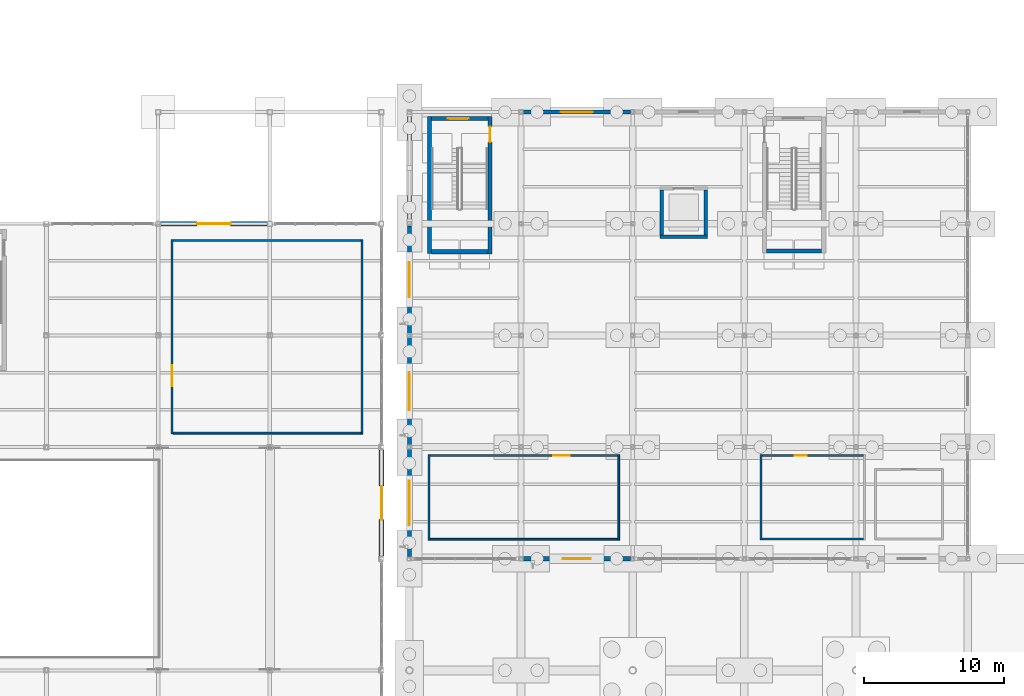
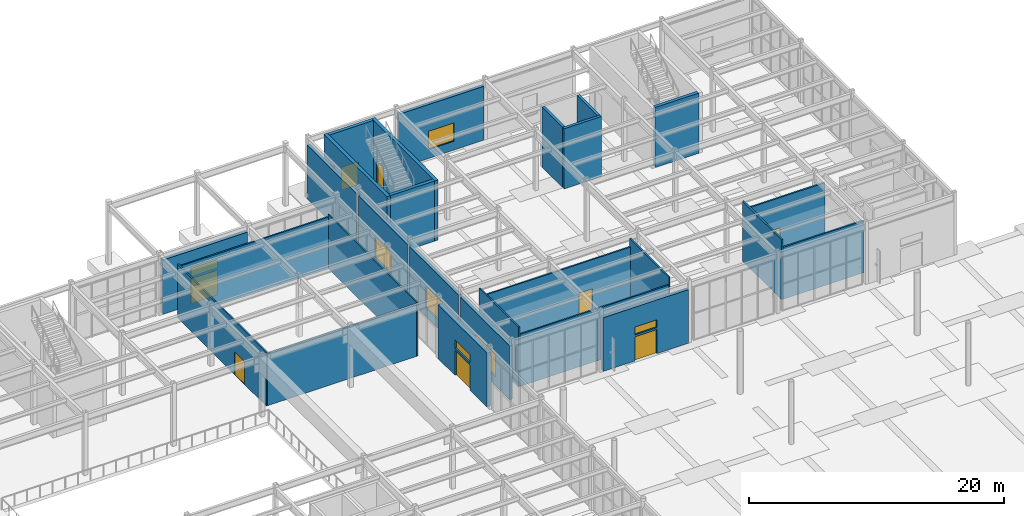
# One storey, part 63 of 82: 27 walls, 8 doors, 7 windows, 15 openings.
"""IFC4 building model written with IfcOpenShell, lengths in metres."""

from ifc_helpers import new_model, si_unit, direction, frame, frame_2d, origin, place, context, subcontext, project, spatial, rectangle, extrude, material, layer, layer_set, type_object, element, fill, save


model = new_model("IFC4")

# Units and contexts
model_context = context("Model", 3, precision=1e-05, world=origin(), true_north=direction((0.0, 1.0)))
body_context = subcontext(model_context, "Body", "Model", "MODEL_VIEW")
ifc_project = project(units=[si_unit("LENGTHUNIT", "METRE"), si_unit("AREAUNIT", "SQUARE_METRE"), si_unit("VOLUMEUNIT", "CUBIC_METRE"), si_unit("PLANEANGLEUNIT", "RADIAN"), si_unit("MASSUNIT", "GRAM", prefix="KILO")], contexts=[model_context])

# Site, building, storey
site_placement = place(None, origin())
site = spatial("IfcSite", under=ifc_project, at=site_placement, CompositionType="ELEMENT")
building_placement = place(site_placement, origin())
building = spatial("IfcBuilding", under=site, at=building_placement, Name="Drelvath Fold Interchange", CompositionType="ELEMENT")
storey_placement = place(building_placement, origin())
storey = spatial("IfcBuildingStorey", under=building, at=storey_placement, Name="L00", CompositionType="ELEMENT", Elevation=0.0)

# Wall
ifc_material_1 = material(Name="Concrete f'c 45 MPa (6500 psi)", Category="concrete")
ifc_layer_1 = layer(ifc_material_1, 0.300048828125, Name="Concrete f'c 45 MPa (6500 psi)")
ifc_layer_set_1 = layer_set([ifc_layer_1], Name="Concrete f'c 45 MPa (6500 psi)")
wall_type_1 = type_object("IfcWallType", Name="WL-CR300", PredefinedType="SHEAR", material=ifc_layer_set_1)
wall_1_placement = place(storey_placement, frame((103.60009765625, 97.0, 0.0), z_axis=(0.0, 0.0, 1.0), x_axis=(1.0, 0.0, 0.0)))
element("IfcWall", 1, at=wall_1_placement, inside=storey, type_object=wall_type_1, Name="ST-07 L00 south core wall", PredefinedType="SHEAR", context=body_context, shape_type="SweptSolid", body=[
    extrude(rectangle(XDim=4.02001953125, YDim=0.300048828125, at=frame_2d((2.010009765625, 0.0))), origin(), (0.0, 0.0, 1.0), 5.7548828125),
])

# Wall, opening, door
wall_2_placement = place(storey_placement, frame((107.77001953125, 96.85009765625, 0.0), z_axis=(0.0, 0.0, 1.0), x_axis=(0.0, 1.0, 0.0)))
wall_2 = element("IfcWall", 2, at=wall_2_placement, inside=storey, type_object=wall_type_1, Name="ST-07 L00 east core wall", PredefinedType="SHEAR", context=body_context, shape_type="SweptSolid", body=[
    extrude(rectangle(XDim=9.849853515625, YDim=0.300048828125, at=frame_2d((4.9248046875, 0.0))), origin(), (0.0, 0.0, 1.0), 5.7548828125),
])
opening_1_placement = place(wall_2_placement, frame((8.0, 0.0, 0.0)))
opening_1 = element("IfcOpeningElement", 3, at=opening_1_placement, cuts=wall_2, Name="Opening D-L00-042", PredefinedType="OPENING", context=body_context, shape_type="SweptSolid", body=[
    extrude(rectangle(XDim=1.10009765625, YDim=2.14990234375, at=frame_2d((0.550048828125, 1.074951171875))), frame((0.0, 0.159912109375, 0.0), z_axis=(0.0, -1.0, 0.0), x_axis=(1.0, 0.0, 0.0)), (0.0, 0.0, 1.0), 0.320068359375),
])
ifc_material_2 = material(Name="Insulated Hollow Metal Door Assembly")
door_type_1 = type_object("IfcDoorType", Name="DR-ST1100", OperationType="NOTDEFINED", PredefinedType="DOOR", material=ifc_material_2)
door_1_placement = place(opening_1_placement, origin())
door_1 = element("IfcDoor", 4, at=door_1_placement, inside=storey, type_object=door_type_1, Name="ST-07 L00 stair fire door D-L00-042", OperationType="SINGLE_SWING_RIGHT", OverallHeight=2.14990234375, OverallWidth=1.10009765625, PredefinedType="DOOR", context=body_context, shape_type="SweptSolid", body=[
    extrude(rectangle(XDim=1.10009765625, YDim=2.14990234375, at=frame_2d((0.550048828125, 1.074951171875))), frame((0.0, 0.02490234375, 0.0), z_axis=(0.0, -1.0, 0.0), x_axis=(1.0, 0.0, 0.0)), (0.0, 0.0, 1.0), 0.050048828125),
])
fill(opening_1, door_1)

wall_3_placement = place(storey_placement, frame((107.6201171875, 106.550048828125, 0.0), z_axis=(0.0, 0.0, 1.0), x_axis=(-1.0, 0.0, 0.0)))
wall_3 = element("IfcWall", 5, at=wall_3_placement, inside=storey, type_object=wall_type_1, Name="ST-07 L00 north core wall", PredefinedType="SHEAR", context=body_context, shape_type="SweptSolid", body=[
    extrude(rectangle(XDim=4.02001953125, YDim=0.300048828125, at=frame_2d((2.010009765625, 0.0))), origin(), (0.0, 0.0, 1.0), 5.7548828125),
])
opening_2_placement = place(wall_3_placement, frame((1.3701171875, 0.0, 0.0)))
opening_2 = element("IfcOpeningElement", 6, at=opening_2_placement, cuts=wall_3, Name="Opening E-07", PredefinedType="OPENING", context=body_context, shape_type="SweptSolid", body=[
    extrude(rectangle(XDim=1.5, YDim=2.199951171875, at=frame_2d((0.75, 1.10009765625))), frame((0.0, 0.159912109375, 0.0), z_axis=(0.0, -1.0, 0.0), x_axis=(1.0, 0.0, 0.0)), (0.0, 0.0, 1.0), 0.320068359375),
])
door_type_2 = type_object("IfcDoorType", Name="DR-EX1500", OperationType="DOUBLE_DOOR_SINGLE_SWING", PredefinedType="DOOR", material=ifc_material_2)
door_2_placement = place(opening_2_placement, frame((1.5, 0.0, 0.0), z_axis=(0.0, 0.0, 1.0), x_axis=(-1.0, 0.0, 0.0)))
door_2 = element("IfcDoor", 7, at=door_2_placement, inside=storey, type_object=door_type_2, Name="Final exit discharge door E-07", OperationType="DOUBLE_DOOR_SINGLE_SWING", OverallHeight=2.199951171875, OverallWidth=1.5, PredefinedType="DOOR", context=body_context, shape_type="SweptSolid", body=[
    extrude(rectangle(XDim=1.5, YDim=2.199951171875, at=frame_2d((0.75, 1.10009765625))), frame((0.0, 0.02490234375, 0.0), z_axis=(0.0, -1.0, 0.0), x_axis=(1.0, 0.0, 0.0)), (0.0, 0.0, 1.0), 0.050048828125),
])
fill(opening_2, door_2)

# Walls
wall_4_placement = place(storey_placement, frame((103.449951171875, 106.699951171875, 0.0), z_axis=(0.0, 0.0, 1.0), x_axis=(0.0, -1.0, 0.0)))
element("IfcWall", 8, at=wall_4_placement, inside=storey, type_object=wall_type_1, Name="ST-07 L00 west core wall", PredefinedType="SHEAR", context=body_context, shape_type="SweptSolid", body=[
    extrude(rectangle(XDim=9.849853515625, YDim=0.300048828125, at=frame_2d((4.9248046875, 0.0))), origin(), (0.0, 0.0, 1.0), 5.7548828125),
])
wall_5_placement = place(storey_placement, frame((127.60009765625, 97.050048828125, 0.0), z_axis=(0.0, 0.0, 1.0), x_axis=(1.0, 0.0, 0.0)))
element("IfcWall", 9, at=wall_5_placement, inside=storey, type_object=wall_type_1, Name="ST-08 L00 south core wall", PredefinedType="SHEAR", context=body_context, shape_type="SweptSolid", body=[
    extrude(rectangle(XDim=3.93994140625, YDim=0.300048828125, at=frame_2d((1.969970703125, 0.0))), origin(), (0.0, 0.0, 1.0), 5.7548828125),
])

# Wall, opening, window
ifc_material_3 = material(Name="Perforated Anodized Aluminium Rainscreen", Category="aluminium")
ifc_layer_2 = layer(ifc_material_3, 0.27490234375, Name="Perforated Anodized Aluminium Rainscreen")
ifc_layer_set_2 = layer_set([ifc_layer_2], Name="Perforated Anodized Aluminium Rainscreen")
wall_type_2 = type_object("IfcWallType", Name="WL-EXT275", PredefinedType="SOLIDWALL", material=ifc_layer_set_2)
wall_6_placement = place(storey_placement, frame((102.0, 75.14794921875, 0.0), z_axis=(0.0, 0.0, 1.0), x_axis=(0.0, 1.0, 0.0)))
wall_6 = element("IfcWall", 10, at=wall_6_placement, inside=storey, type_object=wall_type_2, Name="L00 exterior facade wall 29", PredefinedType="SOLIDWALL", context=body_context, shape_type="SweptSolid", body=[
    extrude(rectangle(XDim=7.7041015625, YDim=0.27490234375, at=frame_2d((3.85205078125, 0.0))), origin(), (0.0, 0.0, 1.0), 5.14990234375),
])
opening_3_placement = place(wall_6_placement, frame((2.251953125, 0.0, 0.85009765625)))
opening_3 = element("IfcOpeningElement", 11, at=opening_3_placement, cuts=wall_6, Name="Opening W-L00-027", PredefinedType="OPENING", context=body_context, shape_type="SweptSolid", body=[
    extrude(rectangle(XDim=3.199951171875, YDim=2.14990234375, at=frame_2d((1.60009765625, 1.074951171875))), frame((0.0, 0.1474609375, 0.0), z_axis=(0.0, -1.0, 0.0), x_axis=(1.0, 0.0, 0.0)), (0.0, 0.0, 1.0), 0.294921875),
])
ifc_material_4 = material(Name="Low-Iron Insulated Laminated Glass", Category="glass")
window_type_1 = type_object("IfcWindowType", Name="WN-320x215", PartitioningType="TRIPLE_PANEL_VERTICAL", PredefinedType="WINDOW", material=ifc_material_4)
window_1_placement = place(opening_3_placement, origin())
window_1 = element("IfcWindow", 12, at=window_1_placement, inside=storey, type_object=window_type_1, Name="Facade window W-L00-027", OverallHeight=2.14990234375, OverallWidth=3.199951171875, PartitioningType="SINGLE_PANEL", PredefinedType="WINDOW", context=body_context, shape_type="SweptSolid", body=[
    extrude(rectangle(XDim=3.199951171875, YDim=2.14990234375, at=frame_2d((1.60009765625, 1.074951171875))), frame((0.0, 0.030029296875, 0.0), z_axis=(0.0, -1.0, 0.0), x_axis=(1.0, 0.0, 0.0)), (0.0, 0.0, 1.0), 0.06005859375),
])
fill(opening_3, window_1)

wall_7_placement = place(storey_placement, frame((102.0, 83.14794921875, 0.0), z_axis=(0.0, 0.0, 1.0), x_axis=(0.0, 1.0, 0.0)))
wall_7 = element("IfcWall", 13, at=wall_7_placement, inside=storey, type_object=wall_type_2, Name="L00 exterior facade wall 31", PredefinedType="SOLIDWALL", context=body_context, shape_type="SweptSolid", body=[
    extrude(rectangle(XDim=7.7041015625, YDim=0.27490234375, at=frame_2d((3.85205078125, 0.0))), origin(), (0.0, 0.0, 1.0), 5.14990234375),
])
opening_4_placement = place(wall_7_placement, frame((2.501953125, 0.0, 0.85009765625)))
opening_4 = element("IfcOpeningElement", 14, at=opening_4_placement, cuts=wall_7, Name="Opening W-L00-029", PredefinedType="OPENING", context=body_context, shape_type="SweptSolid", body=[
    extrude(rectangle(XDim=2.699951171875, YDim=2.050048828125, at=frame_2d((1.35009765625, 1.02490234375))), frame((0.0, 0.1474609375, 0.0), z_axis=(0.0, -1.0, 0.0), x_axis=(1.0, 0.0, 0.0)), (0.0, 0.0, 1.0), 0.294921875),
])
window_type_2 = type_object("IfcWindowType", Name="WN-270x205", PartitioningType="TRIPLE_PANEL_VERTICAL", PredefinedType="WINDOW", material=ifc_material_4)
window_2_placement = place(opening_4_placement, origin())
window_2 = element("IfcWindow", 15, at=window_2_placement, inside=storey, type_object=window_type_2, Name="Facade window W-L00-029", OverallHeight=2.050048828125, OverallWidth=2.699951171875, PartitioningType="SINGLE_PANEL", PredefinedType="WINDOW", context=body_context, shape_type="SweptSolid", body=[
    extrude(rectangle(XDim=2.699951171875, YDim=2.050048828125, at=frame_2d((1.35009765625, 1.02490234375))), frame((0.0, 0.030029296875, 0.0), z_axis=(0.0, -1.0, 0.0), x_axis=(1.0, 0.0, 0.0)), (0.0, 0.0, 1.0), 0.06005859375),
])
fill(opening_4, window_2)

wall_8_placement = place(storey_placement, frame((102.0, 91.14794921875, 0.0), z_axis=(0.0, 0.0, 1.0), x_axis=(0.0, 1.0, 0.0)))
wall_8 = element("IfcWall", 16, at=wall_8_placement, inside=storey, type_object=wall_type_2, Name="L00 exterior facade wall 32", PredefinedType="SOLIDWALL", context=body_context, shape_type="SweptSolid", body=[
    extrude(rectangle(XDim=7.7041015625, YDim=0.27490234375, at=frame_2d((3.85205078125, 0.0))), origin(), (0.0, 0.0, 1.0), 5.14990234375),
])
opening_5_placement = place(wall_8_placement, frame((2.60205078125, 0.0, 0.85009765625)))
opening_5 = element("IfcOpeningElement", 17, at=opening_5_placement, cuts=wall_8, Name="Opening W-L00-030", PredefinedType="OPENING", context=body_context, shape_type="SweptSolid", body=[
    extrude(rectangle(XDim=2.5, YDim=1.949951171875, at=frame_2d((1.25, 0.97509765625))), frame((0.0, 0.1474609375, 0.0), z_axis=(0.0, -1.0, 0.0), x_axis=(1.0, 0.0, 0.0)), (0.0, 0.0, 1.0), 0.294921875),
])
window_type_3 = type_object("IfcWindowType", Name="WN-250x195", PartitioningType="DOUBLE_PANEL_VERTICAL", PredefinedType="WINDOW", material=ifc_material_4)
window_3_placement = place(opening_5_placement, origin())
window_3 = element("IfcWindow", 18, at=window_3_placement, inside=storey, type_object=window_type_3, Name="Facade window W-L00-030", OverallHeight=1.949951171875, OverallWidth=2.5, PartitioningType="SINGLE_PANEL", PredefinedType="WINDOW", context=body_context, shape_type="SweptSolid", body=[
    extrude(rectangle(XDim=2.5, YDim=1.949951171875, at=frame_2d((1.25, 0.97509765625))), frame((0.0, 0.030029296875, 0.0), z_axis=(0.0, -1.0, 0.0), x_axis=(1.0, 0.0, 0.0)), (0.0, 0.0, 1.0), 0.06005859375),
])
fill(opening_5, window_3)

# Wall
wall_9_placement = place(storey_placement, frame((102.0, 99.14794921875, 0.0), z_axis=(0.0, 0.0, 1.0), x_axis=(0.0, 1.0, 0.0)))
element("IfcWall", 19, at=wall_9_placement, inside=storey, type_object=wall_type_2, Name="L00 exterior facade wall 33", PredefinedType="SOLIDWALL", context=body_context, shape_type="SweptSolid", body=[
    extrude(rectangle(XDim=7.7041015625, YDim=0.27490234375, at=frame_2d((3.85205078125, 0.0))), origin(), (0.0, 0.0, 1.0), 5.14990234375),
])

# Wall, opening, window
wall_10_placement = place(storey_placement, frame((110.14794921875, 107.0, 0.0), z_axis=(0.0, 0.0, 1.0), x_axis=(1.0, 0.0, 0.0)))
wall_10 = element("IfcWall", 20, at=wall_10_placement, inside=storey, type_object=wall_type_2, Name="L00 exterior facade wall 34", PredefinedType="SOLIDWALL", context=body_context, shape_type="SweptSolid", body=[
    extrude(rectangle(XDim=7.7041015625, YDim=0.27490234375, at=frame_2d((3.85205078125, 0.0))), origin(), (0.0, 0.0, 1.0), 5.14990234375),
])
opening_6_placement = place(wall_10_placement, frame((2.701904296875, 0.0, 0.85009765625)))
opening_6 = element("IfcOpeningElement", 21, at=opening_6_placement, cuts=wall_10, Name="Opening W-L00-031", PredefinedType="OPENING", context=body_context, shape_type="SweptSolid", body=[
    extrude(rectangle(XDim=2.300048828125, YDim=1.75, at=frame_2d((1.14990234375, 0.875))), frame((0.0, 0.1474609375, 0.0), z_axis=(0.0, -1.0, 0.0), x_axis=(1.0, 0.0, 0.0)), (0.0, 0.0, 1.0), 0.294921875),
])
window_type_4 = type_object("IfcWindowType", Name="WN-230x175", PartitioningType="DOUBLE_PANEL_VERTICAL", PredefinedType="WINDOW", material=ifc_material_4)
window_4_placement = place(opening_6_placement, origin())
window_4 = element("IfcWindow", 22, at=window_4_placement, inside=storey, type_object=window_type_4, Name="Facade window W-L00-031", OverallHeight=1.75, OverallWidth=2.300048828125, PartitioningType="SINGLE_PANEL", PredefinedType="WINDOW", context=body_context, shape_type="SweptSolid", body=[
    extrude(rectangle(XDim=2.300048828125, YDim=1.75, at=frame_2d((1.14990234375, 0.875))), frame((0.0, 0.030029296875, 0.0), z_axis=(0.0, -1.0, 0.0), x_axis=(1.0, 0.0, 0.0)), (0.0, 0.0, 1.0), 0.06005859375),
])
fill(opening_6, window_4)

# Wall, openings, door, window
ifc_material_5 = material(Name="Precast concrete f'c 40 MPa (6000 psi)", Category="concrete")
ifc_layer_3 = layer(ifc_material_5, 0.31494140625, Name="Precast concrete f'c 40 MPa (6000 psi)")
ifc_layer_set_3 = layer_set([ifc_layer_3], Name="Precast concrete f'c 40 MPa (6000 psi)")
wall_type_3 = type_object("IfcWallType", Name="WL-EXT315", PredefinedType="SOLIDWALL", material=ifc_layer_set_3)
wall_11_placement = place(storey_placement, frame((110.14794921875, 75.0, 0.0), z_axis=(0.0, 0.0, 1.0), x_axis=(1.0, 0.0, 0.0)))
wall_11 = element("IfcWall", 23, at=wall_11_placement, inside=storey, type_object=wall_type_3, Name="L00 exterior facade wall 27", PredefinedType="SOLIDWALL", context=body_context, shape_type="SweptSolid", body=[
    extrude(rectangle(XDim=7.7041015625, YDim=0.31494140625, at=frame_2d((3.85205078125, 0.0))), origin(), (0.0, 0.0, 1.0), 5.137939453125),
])
opening_7_placement = place(wall_11_placement, frame((2.85205078125, 0.0, 0.0)))
opening_7 = element("IfcOpeningElement", 24, at=opening_7_placement, cuts=wall_11, Name="Opening E-19", PredefinedType="OPENING", context=body_context, shape_type="SweptSolid", body=[
    extrude(rectangle(XDim=2.0, YDim=2.300048828125, at=frame_2d((1.0, 1.14990234375))), frame((0.0, 0.16748046875, 0.0), z_axis=(0.0, -1.0, 0.0), x_axis=(1.0, 0.0, 0.0)), (0.0, 0.0, 1.0), 0.3349609375),
])
opening_8_placement = place(wall_11_placement, frame((2.85205078125, 0.0, 2.5)))
opening_8 = element("IfcOpeningElement", 25, at=opening_8_placement, cuts=wall_11, Name="Opening W-L00-025", PredefinedType="OPENING", context=body_context, shape_type="SweptSolid", body=[
    extrude(rectangle(XDim=2.0, YDim=0.75, at=frame_2d((1.0, 0.375))), frame((0.0, 0.16748046875, 0.0), z_axis=(0.0, -1.0, 0.0), x_axis=(1.0, 0.0, 0.0)), (0.0, 0.0, 1.0), 0.3349609375),
])
ifc_material_6 = material(Name="Anodized Aluminium Glazed Door Assembly", Category="aluminium")
door_type_3 = type_object("IfcDoorType", Name="DR-EN2000", OperationType="DOUBLE_DOOR_SINGLE_SWING", PredefinedType="DOOR", material=ifc_material_6)
door_3_placement = place(opening_7_placement, frame((2.0, 0.0, 0.0), z_axis=(0.0, 0.0, 1.0), x_axis=(-1.0, 0.0, 0.0)))
door_3 = element("IfcDoor", 26, at=door_3_placement, inside=storey, type_object=door_type_3, Name="Grade pedestrian entrance and final exit door E-19", OperationType="DOUBLE_DOOR_SINGLE_SWING", OverallHeight=2.300048828125, OverallWidth=2.0, PredefinedType="DOOR", context=body_context, shape_type="SweptSolid", body=[
    extrude(rectangle(XDim=2.0, YDim=2.300048828125, at=frame_2d((1.0, 1.14990234375))), frame((0.0, 0.02490234375, 0.0), z_axis=(0.0, -1.0, 0.0), x_axis=(1.0, 0.0, 0.0)), (0.0, 0.0, 1.0), 0.050048828125),
])
fill(opening_7, door_3)
window_type_5 = type_object("IfcWindowType", Name="WN-TR200x75", PartitioningType="SINGLE_PANEL", PredefinedType="LIGHTDOME", material=ifc_material_4)
window_5_placement = place(opening_8_placement, origin())
window_5 = element("IfcWindow", 27, at=window_5_placement, inside=storey, type_object=window_type_5, Name="Entrance transom window W-L00-025", OverallHeight=0.75, OverallWidth=2.0, PartitioningType="SINGLE_PANEL", PredefinedType="LIGHTDOME", context=body_context, shape_type="SweptSolid", body=[
    extrude(rectangle(XDim=2.0, YDim=0.75, at=frame_2d((1.0, 0.375))), frame((0.0, 0.030029296875, 0.0), z_axis=(0.0, -1.0, 0.0), x_axis=(1.0, 0.0, 0.0)), (0.0, 0.0, 1.0), 0.06005859375),
])
fill(opening_8, window_5)

ifc_layer_4 = layer(ifc_material_5, 0.340087890625, Name="Precast concrete f'c 40 MPa (6000 psi)")
ifc_layer_set_4 = layer_set([ifc_layer_4], Name="Precast concrete f'c 40 MPa (6000 psi)")
wall_type_4 = type_object("IfcWallType", Name="WL-EXT340", PredefinedType="SOLIDWALL", material=ifc_layer_set_4)
wall_12_placement = place(storey_placement, frame((84.174072265625, 99.0, 0.0), z_axis=(0.0, 0.0, 1.0), x_axis=(1.0, 0.0, 0.0)))
wall_12 = element("IfcWall", 28, at=wall_12_placement, inside=storey, type_object=wall_type_4, Name="L00 exterior facade wall 7", PredefinedType="SOLIDWALL", context=body_context, shape_type="SweptSolid", body=[
    extrude(rectangle(XDim=7.65185546875, YDim=0.340087890625, at=frame_2d((3.825927734375, 0.0))), origin(), (0.0, 0.0, 1.0), 5.18798828125),
])
opening_9_placement = place(wall_12_placement, frame((2.6259765625, 0.0, 0.0)))
opening_9 = element("IfcOpeningElement", 29, at=opening_9_placement, cuts=wall_12, Name="Opening E-15", PredefinedType="OPENING", context=body_context, shape_type="SweptSolid", body=[
    extrude(rectangle(XDim=2.39990234375, YDim=2.39990234375, at=frame_2d((1.199951171875, 1.199951171875))), frame((0.0, 0.179931640625, 0.0), z_axis=(0.0, -1.0, 0.0), x_axis=(1.0, 0.0, 0.0)), (0.0, 0.0, 1.0), 0.360107421875),
])
opening_10_placement = place(wall_12_placement, frame((2.6259765625, 0.0, 2.60009765625)))
opening_10 = element("IfcOpeningElement", 30, at=opening_10_placement, cuts=wall_12, Name="Opening W-L00-007", PredefinedType="OPENING", context=body_context, shape_type="SweptSolid", body=[
    extrude(rectangle(XDim=2.39990234375, YDim=0.800048828125, at=frame_2d((1.199951171875, 0.39990234375))), frame((0.0, 0.179931640625, 0.0), z_axis=(0.0, -1.0, 0.0), x_axis=(1.0, 0.0, 0.0)), (0.0, 0.0, 1.0), 0.360107421875),
])
door_type_4 = type_object("IfcDoorType", Name="DR-EN2400", OperationType="DOUBLE_DOOR_SINGLE_SWING", PredefinedType="DOOR", material=ifc_material_6)
door_4_placement = place(opening_9_placement, origin())
door_4 = element("IfcDoor", 31, at=door_4_placement, inside=storey, type_object=door_type_4, Name="Grade pedestrian entrance and final exit door E-15", OperationType="DOUBLE_DOOR_SINGLE_SWING", OverallHeight=2.39990234375, OverallWidth=2.39990234375, PredefinedType="DOOR", context=body_context, shape_type="SweptSolid", body=[
    extrude(rectangle(XDim=2.39990234375, YDim=2.39990234375, at=frame_2d((1.199951171875, 1.199951171875))), frame((0.0, 0.02490234375, 0.0), z_axis=(0.0, -1.0, 0.0), x_axis=(1.0, 0.0, 0.0)), (0.0, 0.0, 1.0), 0.050048828125),
])
fill(opening_9, door_4)
window_type_6 = type_object("IfcWindowType", Name="WN-TR240x80", PartitioningType="SINGLE_PANEL", PredefinedType="LIGHTDOME", material=ifc_material_4)
window_6_placement = place(opening_10_placement, origin())
window_6 = element("IfcWindow", 32, at=window_6_placement, inside=storey, type_object=window_type_6, Name="Entrance transom window W-L00-007", OverallHeight=0.800048828125, OverallWidth=2.39990234375, PartitioningType="SINGLE_PANEL", PredefinedType="LIGHTDOME", context=body_context, shape_type="SweptSolid", body=[
    extrude(rectangle(XDim=2.39990234375, YDim=0.800048828125, at=frame_2d((1.199951171875, 0.39990234375))), frame((0.0, 0.030029296875, 0.0), z_axis=(0.0, -1.0, 0.0), x_axis=(1.0, 0.0, 0.0)), (0.0, 0.0, 1.0), 0.06005859375),
])
fill(opening_10, window_6)

wall_13_placement = place(storey_placement, frame((100.0, 75.174072265625, 0.0), z_axis=(0.0, 0.0, 1.0), x_axis=(0.0, 1.0, 0.0)))
wall_13 = element("IfcWall", 33, at=wall_13_placement, inside=storey, type_object=wall_type_4, Name="L00 exterior facade wall 25", PredefinedType="SOLIDWALL", context=body_context, shape_type="SweptSolid", body=[
    extrude(rectangle(XDim=7.65185546875, YDim=0.340087890625, at=frame_2d((3.825927734375, 0.0))), origin(), (0.0, 0.0, 1.0), 5.14990234375),
])
opening_11_placement = place(wall_13_placement, frame((2.6259765625, 0.0, 0.0)))
opening_11 = element("IfcOpeningElement", 34, at=opening_11_placement, cuts=wall_13, Name="Opening E-18", PredefinedType="OPENING", context=body_context, shape_type="SweptSolid", body=[
    extrude(rectangle(XDim=2.39990234375, YDim=2.39990234375, at=frame_2d((1.199951171875, 1.199951171875))), frame((0.0, 0.179931640625, 0.0), z_axis=(0.0, -1.0, 0.0), x_axis=(1.0, 0.0, 0.0)), (0.0, 0.0, 1.0), 0.360107421875),
])
opening_12_placement = place(wall_13_placement, frame((2.6259765625, 0.0, 2.60009765625)))
opening_12 = element("IfcOpeningElement", 35, at=opening_12_placement, cuts=wall_13, Name="Opening W-L00-024", PredefinedType="OPENING", context=body_context, shape_type="SweptSolid", body=[
    extrude(rectangle(XDim=2.39990234375, YDim=0.800048828125, at=frame_2d((1.199951171875, 0.39990234375))), frame((0.0, 0.179931640625, 0.0), z_axis=(0.0, -1.0, 0.0), x_axis=(1.0, 0.0, 0.0)), (0.0, 0.0, 1.0), 0.360107421875),
])
door_5_placement = place(opening_11_placement, frame((2.39990234375, 0.0, 0.0), z_axis=(0.0, 0.0, 1.0), x_axis=(-1.0, 0.0, 0.0)))
door_5 = element("IfcDoor", 36, at=door_5_placement, inside=storey, type_object=door_type_4, Name="Grade pedestrian entrance and final exit door E-18", OperationType="DOUBLE_DOOR_SINGLE_SWING", OverallHeight=2.39990234375, OverallWidth=2.39990234375, PredefinedType="DOOR", context=body_context, shape_type="SweptSolid", body=[
    extrude(rectangle(XDim=2.39990234375, YDim=2.39990234375, at=frame_2d((1.199951171875, 1.199951171875))), frame((0.0, 0.02490234375, 0.0), z_axis=(0.0, -1.0, 0.0), x_axis=(1.0, 0.0, 0.0)), (0.0, 0.0, 1.0), 0.050048828125),
])
fill(opening_11, door_5)
window_7_placement = place(opening_12_placement, origin())
window_7 = element("IfcWindow", 37, at=window_7_placement, inside=storey, type_object=window_type_6, Name="Entrance transom window W-L00-024", OverallHeight=0.800048828125, OverallWidth=2.39990234375, PartitioningType="SINGLE_PANEL", PredefinedType="LIGHTDOME", context=body_context, shape_type="SweptSolid", body=[
    extrude(rectangle(XDim=2.39990234375, YDim=0.800048828125, at=frame_2d((1.199951171875, 0.39990234375))), frame((0.0, 0.030029296875, 0.0), z_axis=(0.0, -1.0, 0.0), x_axis=(1.0, 0.0, 0.0)), (0.0, 0.0, 1.0), 0.06005859375),
])
fill(opening_12, window_7)

# Walls
ifc_material_7 = material(Name="Acoustic Gypsum Board Partition Assembly")
ifc_layer_5 = layer(ifc_material_7, 0.1298828125, Name="Acoustic Gypsum Board Partition Assembly")
ifc_layer_set_5 = layer_set([ifc_layer_5], Name="Acoustic Gypsum Board Partition Assembly")
wall_type_5 = type_object("IfcWallType", Name="WL-PT130", PredefinedType="PARTITIONING", material=ifc_layer_set_5)
wall_14_placement = place(storey_placement, frame((85.06494140625, 84.0, 0.0), z_axis=(0.0, 0.0, 1.0), x_axis=(1.0, 0.0, 0.0)))
element("IfcWall", 38, at=wall_14_placement, inside=storey, type_object=wall_type_5, Name="First-Class Regional Rail Lounge S partition", PredefinedType="PARTITIONING", context=body_context, shape_type="SweptSolid", body=[
    extrude(rectangle(XDim=13.469970703125, YDim=0.1298828125, at=frame_2d((6.73486328125, 0.0))), origin(), (0.0, 0.0, 1.0), 4.97607421875),
])
wall_15_placement = place(storey_placement, frame((98.60009765625, 83.93505859375, 0.0), z_axis=(0.0, 0.0, 1.0), x_axis=(0.0, 1.0, 0.0)))
element("IfcWall", 39, at=wall_15_placement, inside=storey, type_object=wall_type_5, Name="First-Class Regional Rail Lounge E partition", PredefinedType="PARTITIONING", context=body_context, shape_type="SweptSolid", body=[
    extrude(rectangle(XDim=13.929931640625, YDim=0.1298828125, at=frame_2d((6.96484375, 0.0))), origin(), (0.0, 0.0, 1.0), 5.137939453125),
])
wall_16_placement = place(storey_placement, frame((98.534912109375, 97.800048828125, 0.0), z_axis=(0.0, 0.0, 1.0), x_axis=(-1.0, 0.0, 0.0)))
element("IfcWall", 40, at=wall_16_placement, inside=storey, type_object=wall_type_5, Name="First-Class Regional Rail Lounge N partition", PredefinedType="PARTITIONING", context=body_context, shape_type="SweptSolid", body=[
    extrude(rectangle(XDim=13.469970703125, YDim=0.1298828125, at=frame_2d((6.73486328125, 0.0))), origin(), (0.0, 0.0, 1.0), 4.947021484375),
])

# Wall, opening, door
wall_17_placement = place(storey_placement, frame((85.0, 97.864990234375, 0.0), z_axis=(0.0, 0.0, 1.0), x_axis=(0.0, -1.0, 0.0)))
wall_17 = element("IfcWall", 41, at=wall_17_placement, inside=storey, type_object=wall_type_5, Name="First-Class Regional Rail Lounge W partition", PredefinedType="PARTITIONING", context=body_context, shape_type="SweptSolid", body=[
    extrude(rectangle(XDim=13.929931640625, YDim=0.1298828125, at=frame_2d((6.96484375, 0.0))), origin(), (0.0, 0.0, 1.0), 5.137939453125),
])
opening_13_placement = place(wall_17_placement, frame((8.990966796875, 0.0, 0.0)))
opening_13 = element("IfcOpeningElement", 42, at=opening_13_placement, cuts=wall_17, Name="Opening D-L00-099", PredefinedType="OPENING", context=body_context, shape_type="SweptSolid", body=[
    extrude(rectangle(XDim=1.52001953125, YDim=2.199951171875, at=frame_2d((0.760009765625, 1.10009765625))), frame((0.0, 0.074951171875, 0.0), z_axis=(0.0, -1.0, 0.0), x_axis=(1.0, 0.0, 0.0)), (0.0, 0.0, 1.0), 0.14990234375),
])
door_type_5 = type_object("IfcDoorType", Name="DR-SL152", OperationType="DOUBLE_DOOR_SLIDING", PredefinedType="DOOR", material=ifc_material_6)
door_6_placement = place(opening_13_placement, origin())
door_6 = element("IfcDoor", 43, at=door_6_placement, inside=storey, type_object=door_type_5, Name="First-Class Regional Rail Lounge door D-L00-099", OperationType="DOUBLE_DOOR_SLIDING", OverallHeight=2.199951171875, OverallWidth=1.52001953125, PredefinedType="DOOR", context=body_context, shape_type="SweptSolid", body=[
    extrude(rectangle(XDim=1.52001953125, YDim=2.199951171875, at=frame_2d((0.760009765625, 1.10009765625))), frame((0.0, 0.02490234375, 0.0), z_axis=(0.0, -1.0, 0.0), x_axis=(1.0, 0.0, 0.0)), (0.0, 0.0, 1.0), 0.050048828125),
])
fill(opening_13, door_6)

# Walls
wall_18_placement = place(storey_placement, frame((103.465087890625, 76.39990234375, 0.0), z_axis=(0.0, 0.0, 1.0), x_axis=(1.0, 0.0, 0.0)))
element("IfcWall", 44, at=wall_18_placement, inside=storey, type_object=wall_type_5, Name="Bicycle Repair and Rental Workshop S partition", PredefinedType="PARTITIONING", context=body_context, shape_type="SweptSolid", body=[
    extrude(rectangle(XDim=13.469970703125, YDim=0.1298828125, at=frame_2d((6.73486328125, 0.0))), origin(), (0.0, 0.0, 1.0), 4.97607421875),
])
wall_19_placement = place(storey_placement, frame((117.0, 76.3349609375, 0.0), z_axis=(0.0, 0.0, 1.0), x_axis=(0.0, 1.0, 0.0)))
element("IfcWall", 45, at=wall_19_placement, inside=storey, type_object=wall_type_5, Name="Bicycle Repair and Rental Workshop E partition", PredefinedType="PARTITIONING", context=body_context, shape_type="SweptSolid", body=[
    extrude(rectangle(XDim=6.130126953125, YDim=0.1298828125, at=frame_2d((3.06494140625, 0.0))), origin(), (0.0, 0.0, 1.0), 5.72998046875),
])

# Wall, opening, door
wall_20_placement = place(storey_placement, frame((116.93505859375, 82.39990234375, 0.0), z_axis=(0.0, 0.0, 1.0), x_axis=(-1.0, 0.0, 0.0)))
wall_20 = element("IfcWall", 46, at=wall_20_placement, inside=storey, type_object=wall_type_5, Name="Bicycle Repair and Rental Workshop N partition", PredefinedType="PARTITIONING", context=body_context, shape_type="SweptSolid", body=[
    extrude(rectangle(XDim=13.469970703125, YDim=0.1298828125, at=frame_2d((6.73486328125, 0.0))), origin(), (0.0, 0.0, 1.0), 4.97607421875),
])
opening_14_placement = place(wall_20_placement, frame((3.44091796875, 0.0, 0.0)))
opening_14 = element("IfcOpeningElement", 47, at=opening_14_placement, cuts=wall_20, Name="Opening D-L00-100", PredefinedType="OPENING", context=body_context, shape_type="SweptSolid", body=[
    extrude(rectangle(XDim=1.199951171875, YDim=2.199951171875, at=frame_2d((0.60009765625, 1.10009765625))), frame((0.0, 0.074951171875, 0.0), z_axis=(0.0, -1.0, 0.0), x_axis=(1.0, 0.0, 0.0)), (0.0, 0.0, 1.0), 0.14990234375),
])
door_type_6 = type_object("IfcDoorType", Name="DR-NR120", OperationType="NOTDEFINED", PredefinedType="DOOR", material=ifc_material_6)
door_7_placement = place(opening_14_placement, origin())
door_7 = element("IfcDoor", 48, at=door_7_placement, inside=storey, type_object=door_type_6, Name="Bicycle Repair and Rental Workshop door D-L00-100", OperationType="SINGLE_SWING_RIGHT", OverallHeight=2.199951171875, OverallWidth=1.199951171875, PredefinedType="DOOR", context=body_context, shape_type="SweptSolid", body=[
    extrude(rectangle(XDim=1.199951171875, YDim=2.199951171875, at=frame_2d((0.60009765625, 1.10009765625))), frame((0.0, 0.02490234375, 0.0), z_axis=(0.0, -1.0, 0.0), x_axis=(1.0, 0.0, 0.0)), (0.0, 0.0, 1.0), 0.050048828125),
])
fill(opening_14, door_7)

# Walls
wall_21_placement = place(storey_placement, frame((103.39990234375, 82.465087890625, 0.0), z_axis=(0.0, 0.0, 1.0), x_axis=(0.0, -1.0, 0.0)))
element("IfcWall", 49, at=wall_21_placement, inside=storey, type_object=wall_type_5, Name="Bicycle Repair and Rental Workshop W partition", PredefinedType="PARTITIONING", context=body_context, shape_type="SweptSolid", body=[
    extrude(rectangle(XDim=6.130126953125, YDim=0.1298828125, at=frame_2d((3.06494140625, 0.0))), origin(), (0.0, 0.0, 1.0), 5.72998046875),
])
ifc_layer_6 = layer(ifc_material_7, 0.14501953125, Name="Acoustic Gypsum Board Partition Assembly")
ifc_layer_set_6 = layer_set([ifc_layer_6], Name="Acoustic Gypsum Board Partition Assembly")
wall_type_6 = type_object("IfcWallType", Name="WL-PT145", PredefinedType="PARTITIONING", material=ifc_layer_set_6)
wall_22_placement = place(storey_placement, frame((127.27294921875, 76.39990234375, 0.0), z_axis=(0.0, 0.0, 1.0), x_axis=(1.0, 0.0, 0.0)))
element("IfcWall", 50, at=wall_22_placement, inside=storey, type_object=wall_type_6, Name="Cyclist Shower and Changing Suite S partition", PredefinedType="PARTITIONING", context=body_context, shape_type="SweptSolid", body=[
    extrude(rectangle(XDim=7.255126953125, YDim=0.14501953125, at=frame_2d((3.62744140625, 0.0))), origin(), (0.0, 0.0, 1.0), 4.97607421875),
])

# Wall, opening, door
wall_23_placement = place(storey_placement, frame((134.528076171875, 82.39990234375, 0.0), z_axis=(0.0, 0.0, 1.0), x_axis=(-1.0, 0.0, 0.0)))
wall_23 = element("IfcWall", 51, at=wall_23_placement, inside=storey, type_object=wall_type_6, Name="Cyclist Shower and Changing Suite N partition", PredefinedType="PARTITIONING", context=body_context, shape_type="SweptSolid", body=[
    extrude(rectangle(XDim=7.255126953125, YDim=0.14501953125, at=frame_2d((3.62744140625, 0.0))), origin(), (0.0, 0.0, 1.0), 4.97607421875),
])
opening_15_placement = place(wall_23_placement, frame((4.05810546875, 0.0, 0.0)))
opening_15 = element("IfcOpeningElement", 52, at=opening_15_placement, cuts=wall_23, Name="Opening D-L00-101", PredefinedType="OPENING", context=body_context, shape_type="SweptSolid", body=[
    extrude(rectangle(XDim=0.8798828125, YDim=2.080078125, at=frame_2d((0.43994140625, 1.0400390625))), frame((0.0, 0.08251953125, 0.0), z_axis=(0.0, -1.0, 0.0), x_axis=(1.0, 0.0, 0.0)), (0.0, 0.0, 1.0), 0.1650390625),
])
door_type_7 = type_object("IfcDoorType", Name="DR-NR088", OperationType="NOTDEFINED", PredefinedType="DOOR", material=ifc_material_6)
door_8_placement = place(opening_15_placement, origin())
door_8 = element("IfcDoor", 53, at=door_8_placement, inside=storey, type_object=door_type_7, Name="Cyclist Shower and Changing Suite door D-L00-101", OperationType="SINGLE_SWING_LEFT", OverallHeight=2.080078125, OverallWidth=0.8798828125, PredefinedType="DOOR", context=body_context, shape_type="SweptSolid", body=[
    extrude(rectangle(XDim=0.8798828125, YDim=2.080078125, at=frame_2d((0.43994140625, 1.0400390625))), frame((0.0, 0.02490234375, 0.0), z_axis=(0.0, -1.0, 0.0), x_axis=(1.0, 0.0, 0.0)), (0.0, 0.0, 1.0), 0.050048828125),
])
fill(opening_15, door_8)

# Walls
wall_24_placement = place(storey_placement, frame((127.199951171875, 82.472900390625, 0.0), z_axis=(0.0, 0.0, 1.0), x_axis=(0.0, -1.0, 0.0)))
element("IfcWall", 54, at=wall_24_placement, inside=storey, type_object=wall_type_6, Name="Cyclist Shower and Changing Suite W partition", PredefinedType="PARTITIONING", context=body_context, shape_type="SweptSolid", body=[
    extrude(rectangle(XDim=6.14501953125, YDim=0.14501953125, at=frame_2d((3.072509765625, 0.0))), origin(), (0.0, 0.0, 1.0), 5.72998046875),
])
ifc_layer_7 = layer(ifc_material_1, 0.25, Name="Concrete f'c 45 MPa (6500 psi)")
ifc_layer_set_7 = layer_set([ifc_layer_7], Name="Concrete f'c 45 MPa (6500 psi)")
wall_type_7 = type_object("IfcWallType", Name="WL-SH250", PredefinedType="SOLIDWALL", material=ifc_layer_set_7)
wall_25_placement = place(storey_placement, frame((119.949951171875, 98.074951171875, 0.0), z_axis=(0.0, 0.0, 1.0), x_axis=(1.0, 0.0, 0.0)))
element("IfcWall", 55, at=wall_25_placement, inside=storey, type_object=wall_type_7, Name="LF-08 L00 south shaft wall", PredefinedType="SOLIDWALL", context=body_context, shape_type="SweptSolid", body=[
    extrude(rectangle(XDim=3.400146484375, YDim=0.25, at=frame_2d((1.7001953125, 0.0))), origin(), (0.0, 0.0, 1.0), 5.7548828125),
])
for number, where, z_axis, x_axis, name in (
    (56, (123.22509765625, 98.199951171875, 0.0), (0.0, 0.0, 1.0), (0.0, 1.0, 0.0), "LF-08 L00 east shaft wall"),
    (57, (120.074951171875, 101.39990234375, 0.0), (0.0, 0.0, 1.0), (0.0, -1.0, 0.0), "LF-08 L00 west shaft wall"),
):
    element("IfcWall", number, at=place(storey_placement, frame(where, z_axis=z_axis, x_axis=x_axis)), inside=storey, type_object=wall_type_7, Name=name, PredefinedType="SOLIDWALL", context=body_context, shape_type="SweptSolid", body=[
        extrude(rectangle(XDim=3.199951171875, YDim=0.25, at=frame_2d((1.60009765625, 0.0))), origin(), (0.0, 0.0, 1.0), 5.7548828125),
    ])

save(model, "model.ifc")
